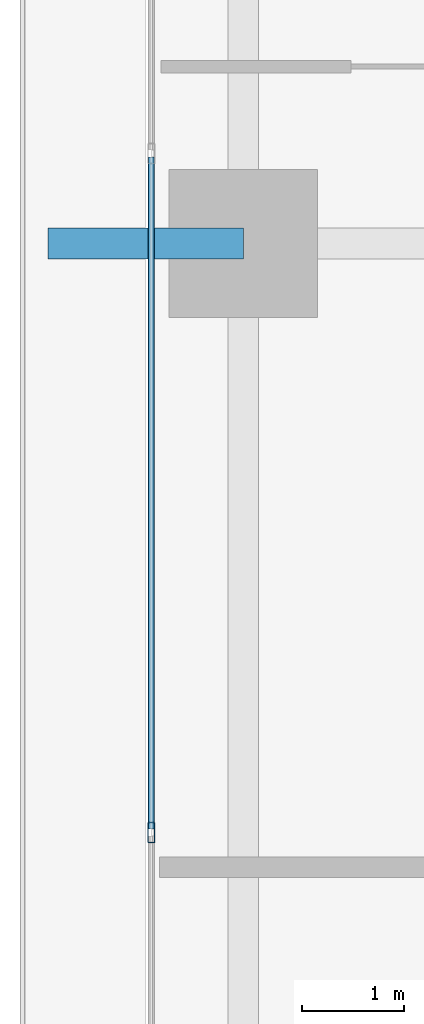
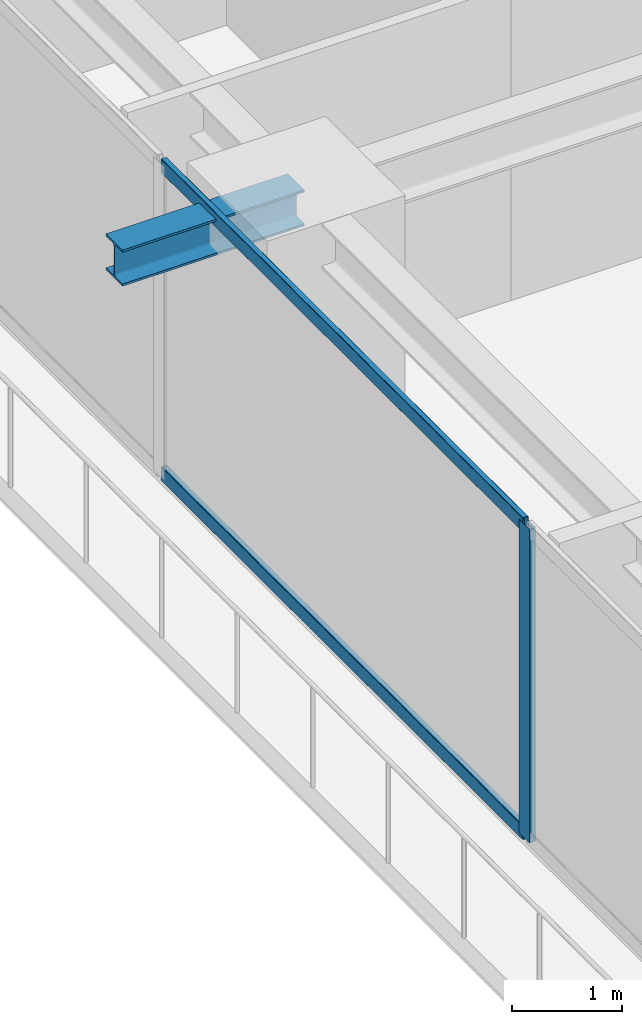
# One storey, part 7 of 39: 3 members, 1 beam, 1 element without a shape of its own.
"""IFC4 building model written with IfcOpenShell, lengths in metres."""

from ifc_helpers import new_model, si_unit, direction, frame, origin, origin_2d, place, context, subcontext, project, spatial, hollow_rectangle, i_section, extrude, source, transform, mapped, material, layer, layer_set, material_profile, profile_set, type_object, element, aggregate, save


model = new_model("IFC4")

# Units and contexts
model_context = context("Model", 3, precision=1e-05, world=origin(), true_north=direction((0.0, 1.0)))
body_context = subcontext(model_context, "Body", "Model", "MODEL_VIEW")
ifc_project = project(units=[si_unit("LENGTHUNIT", "METRE"), si_unit("AREAUNIT", "SQUARE_METRE"), si_unit("VOLUMEUNIT", "CUBIC_METRE"), si_unit("PLANEANGLEUNIT", "RADIAN"), si_unit("MASSUNIT", "GRAM", prefix="KILO")], contexts=[model_context])

# Site, building, storey
site_placement = place(None, origin())
site = spatial("IfcSite", under=ifc_project, at=site_placement, CompositionType="ELEMENT")
building_placement = place(site_placement, origin())
building = spatial("IfcBuilding", under=site, at=building_placement, Name="Serunith Strait Residences", CompositionType="ELEMENT")
storey_placement = place(building_placement, frame((0.0, 0.0, 94.199951171875)))
storey = spatial("IfcBuildingStorey", under=building, at=storey_placement, Name="L23", CompositionType="ELEMENT", Elevation=94.199951171875)

# Beam
ifc_material_1 = material(Name="Steel S355J2", Category="steel")
ifc_material_profile_1 = material_profile(ifc_material_1, i_section(OverallWidth=0.300048828125, OverallDepth=0.39990234375, WebThickness=0.013427734375, FlangeThickness=0.02392578125, FilletRadius=0.027099609375, at=origin_2d()), Name="HEB 400")
ifc_profile_set_1 = profile_set([ifc_material_profile_1], Name="Steel S355J2")
beam_type = type_object("IfcBeamType", Name="BM-HEB400", PredefinedType="BEAM", material=ifc_profile_set_1)
shared_shape_1 = source(origin(), body_context, "Body", "SweptSolid", [
    extrude(i_section(OverallWidth=0.300048828125, OverallDepth=0.39990234375, WebThickness=0.013427734375, FlangeThickness=0.02392578125, FilletRadius=0.027099609375, at=origin_2d()), origin(), (0.0, 0.0, 1.0), 1.909912109375),
])
beam_placement = place(storey_placement, frame((6.89990234375, 21.0, 3.257080078125), z_axis=(-1.0, 0.0, 0.0), x_axis=(0.0, -1.0, 0.0)))
element("IfcBeam", 1, at=beam_placement, inside=storey, type_object=beam_type, Name="L24 Cantilevered Balcony Rib TC-W2", PredefinedType="BEAM", context=body_context, shape_type="MappedRepresentation", body=[
    mapped(shared_shape_1, transform((0.0, 0.0, 0.0), scale=1.0)),
])

# Curtain wall, members
ifc_material_2 = material(Name="Pale-Champagne Anodised Aluminium", Category="aluminium")
ifc_layer = layer(ifc_material_2, 0.199951171875, Name="Pale-Champagne Anodised Aluminium")
ifc_layer_set = layer_set([ifc_layer], Name="Pale-Champagne Anodised Aluminium")
curtain_wall_type = type_object("IfcCurtainWallType", Name="CW-SYS1", PredefinedType="NOTDEFINED", material=ifc_layer_set)
curtain_wall_placement = place(storey_placement, origin())
curtain_wall = element("IfcCurtainWall", 2, at=curtain_wall_placement, inside=storey, type_object=curtain_wall_type, Name="L23 W Unitised Fritted Curtain Wall", PredefinedType="NOTDEFINED")
ifc_material_profile_2 = material_profile(ifc_material_2, hollow_rectangle(XDim=0.070068359375, YDim=0.199951171875, WallThickness=0.00390625, InnerFilletRadius=0.006103515625, OuterFilletRadius=0.010009765625, at=origin_2d()), Name="ALU 200x70x4")
ifc_profile_set_2 = profile_set([ifc_material_profile_2], Name="Pale-Champagne Anodised Aluminium")
member_type_1 = type_object("IfcMemberType", Name="CW-SYS1-MULL", PredefinedType="MULLION", material=ifc_profile_set_2)
shared_shape_2 = source(origin(), body_context, "Body", "SweptSolid", [
    extrude(hollow_rectangle(XDim=0.070068359375, YDim=0.199951171875, WallThickness=0.00390625, InnerFilletRadius=0.006103515625, OuterFilletRadius=0.010009765625, at=origin_2d()), origin(), (0.0, 0.0, 1.0), 3.47509765625),
])
member_1_placement = place(storey_placement, frame((6.0, 15.239990234375, 0.0), z_axis=(0.0, 0.0, 1.0), x_axis=(1.0, 0.0, 0.0)))
member_1 = element("IfcMember", 3, at=member_1_placement, type_object=member_type_1, Name="CW-1 mullion 5", PredefinedType="MULLION", context=body_context, shape_type="MappedRepresentation", body=[
    mapped(shared_shape_2, transform((0.0, 0.0, 0.0), scale=1.0)),
])
ifc_material_profile_3 = material_profile(ifc_material_2, hollow_rectangle(XDim=0.06005859375, YDim=0.159912109375, WallThickness=0.00341796875, InnerFilletRadius=0.00537109375, OuterFilletRadius=0.0087890625, at=origin_2d()), Name="ALU 160x60x3.5")
ifc_profile_set_3 = profile_set([ifc_material_profile_3], Name="Pale-Champagne Anodised Aluminium")
member_type_2 = type_object("IfcMemberType", Name="CW-SYS1-TRAN", PredefinedType="USERDEFINED", material=ifc_profile_set_3)
shared_shape_3 = source(origin(), body_context, "Body", "SweptSolid", [
    extrude(hollow_rectangle(XDim=0.06005859375, YDim=0.159912109375, WallThickness=0.00341796875, InnerFilletRadius=0.00537109375, OuterFilletRadius=0.0087890625, at=origin_2d()), origin(), (0.0, 0.0, 1.0), 6.570068359375),
])
member_2_placement = place(storey_placement, frame((6.0, 21.844970703125, 0.030029296875), z_axis=(0.0, -1.0, 0.0), x_axis=(1.0, 0.0, 0.0)))
member_2 = element("IfcMember", 4, at=member_2_placement, type_object=member_type_2, Name="CW-1 transom 4.1", ObjectType="TRANSOM", PredefinedType="USERDEFINED", context=body_context, shape_type="MappedRepresentation", body=[
    mapped(shared_shape_3, transform((0.0, 0.0, 0.0), scale=1.0)),
])
member_3_placement = place(storey_placement, frame((6.0, 21.844970703125, 3.445068359375), z_axis=(0.0, -1.0, 0.0), x_axis=(1.0, 0.0, 0.0)))
member_3 = element("IfcMember", 5, at=member_3_placement, type_object=member_type_2, Name="CW-1 transom 4.2", ObjectType="TRANSOM", PredefinedType="USERDEFINED", context=body_context, shape_type="MappedRepresentation", body=[
    mapped(shared_shape_3, transform((0.0, 0.0, 0.0), scale=1.0)),
])
aggregate(curtain_wall, [member_1, member_2, member_3])

save(model, "model.ifc")
